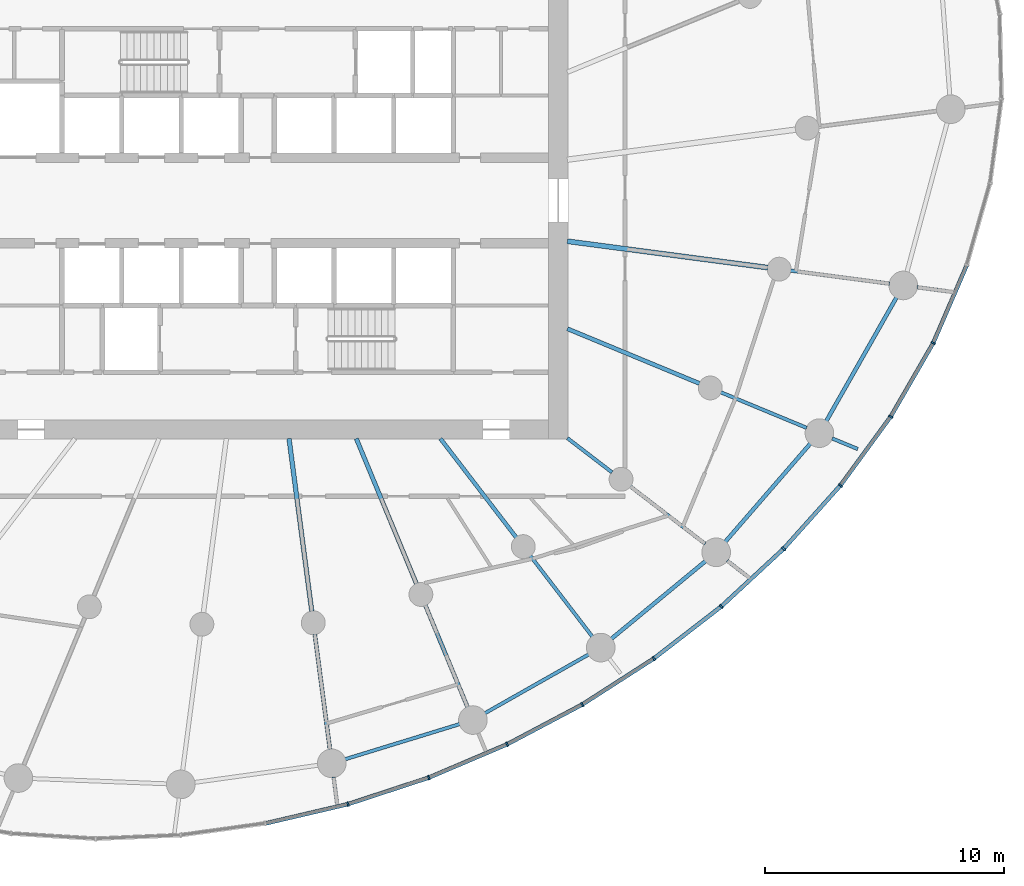
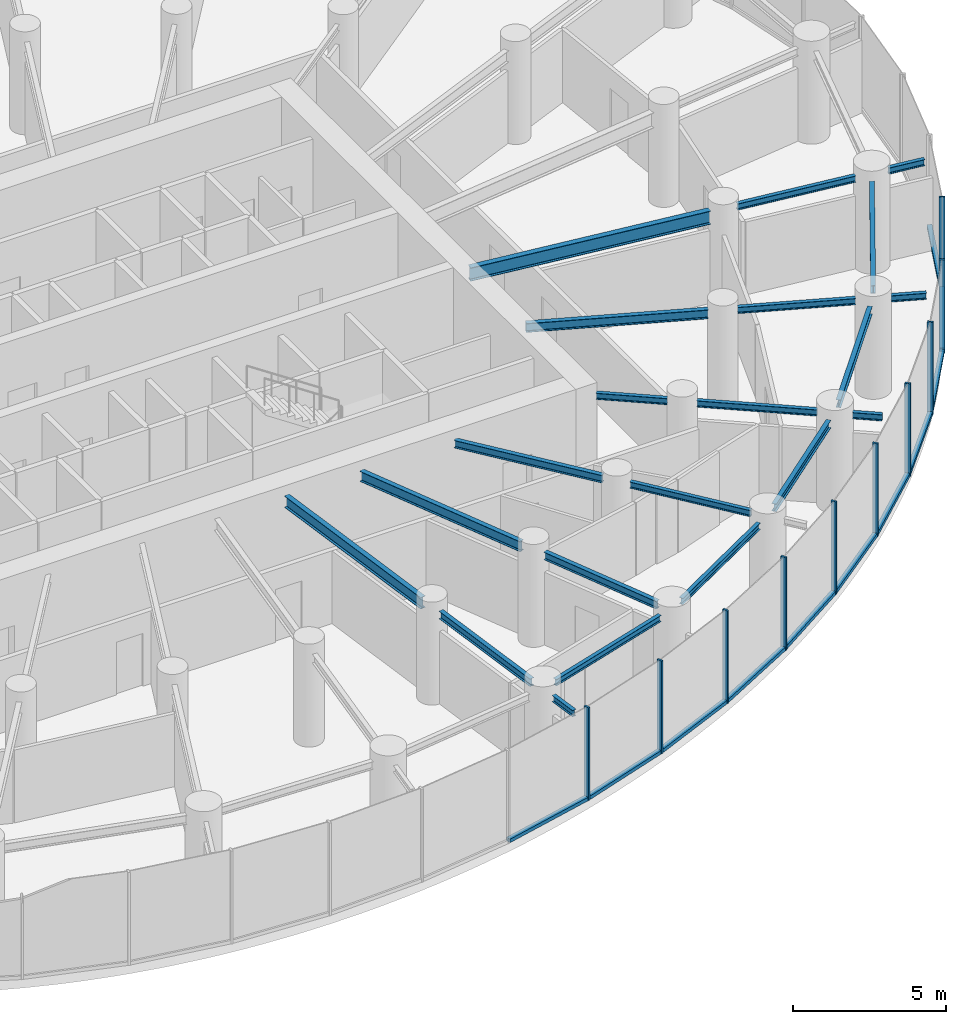
# One storey, part 4 of 17: 21 beams, 21 members, 3 elements without a shape of their own.
"""IFC4 building model written with IfcOpenShell, lengths in metres."""

from ifc_helpers import new_model, si_unit, direction, frame, origin, origin_2d, place, context, subcontext, project, spatial, rectangle, i_section, extrude, source, transform, mapped, material, layer, layer_set, material_profile, profile_set, type_object, element, aggregate, save


model = new_model("IFC4")

# Units and contexts
model_context = context("Model", 3, precision=1e-05, world=origin(), true_north=direction((0.0, 1.0)))
body_context = subcontext(model_context, "Body", "Model", "MODEL_VIEW")
ifc_project = project(units=[si_unit("LENGTHUNIT", "METRE"), si_unit("AREAUNIT", "SQUARE_METRE"), si_unit("VOLUMEUNIT", "CUBIC_METRE"), si_unit("PLANEANGLEUNIT", "RADIAN"), si_unit("MASSUNIT", "GRAM", prefix="KILO")], contexts=[model_context])

# Site, building, storey
site_placement = place(None, origin())
site = spatial("IfcSite", under=ifc_project, at=site_placement, CompositionType="ELEMENT")
building_placement = place(site_placement, origin())
building = spatial("IfcBuilding", under=site, at=building_placement, Name="Spindrift Exchange Tower", CompositionType="ELEMENT")
storey_placement = place(building_placement, frame((0.0, 0.0, 108.5)))
storey = spatial("IfcBuildingStorey", under=building, at=storey_placement, Name="L25", CompositionType="ELEMENT", Elevation=108.5)

# Beams
ifc_material_1 = material(Name="Steel Grade 300", Category="steel")
ifc_material_profile_1 = material_profile(ifc_material_1, i_section(OverallWidth=0.18994140625, OverallDepth=0.45703125, WebThickness=0.009033203125, FlangeThickness=0.014404296875, FilletRadius=0.013916015625, at=origin_2d()), Name="460UB74.6")
ifc_profile_set_1 = profile_set([ifc_material_profile_1], Name="Steel Grade 300")
beam_type_1 = type_object("IfcBeamType", Name="Floor Beam 460UB74.6 Steel Grade 300", PredefinedType="BEAM", material=ifc_profile_set_1)
shared_shape_1 = source(origin(), body_context, "Body", "SweptSolid", [
    extrude(i_section(OverallWidth=0.18994140625, OverallDepth=0.45703125, WebThickness=0.009033203125, FlangeThickness=0.014404296875, FilletRadius=0.013916015625, at=origin_2d()), origin(), (0.0, 0.0, 1.0), 7.3095703125),
])
beam_1_placement = place(storey_placement, frame((53.31396484375, 38.019775390625, 3.471435546875), z_axis=(0.130527087244, -0.991444743541, 0.0), x_axis=(0.991444743541, 0.130527087244, 0.0)))
element("IfcBeam", 1, at=beam_1_placement, inside=storey, type_object=beam_type_1, Name="L25 radial beam R19A", PredefinedType="BEAM", context=body_context, shape_type="MappedRepresentation", body=[
    mapped(shared_shape_1, transform((0.0, 0.0, 0.0), scale=1.0)),
])
ifc_material_profile_2 = material_profile(ifc_material_1, i_section(OverallWidth=0.177978515625, OverallDepth=0.406005859375, WebThickness=0.0078125, FlangeThickness=0.0126953125, FilletRadius=0.013916015625, at=origin_2d()), Name="410UB59.7")
ifc_profile_set_2 = profile_set([ifc_material_profile_2], Name="Steel Grade 300")
beam_type_2 = type_object("IfcBeamType", Name="Floor Beam 410UB59.7 Steel Grade 300", PredefinedType="BEAM", material=ifc_profile_set_2)
shared_shape_2 = source(origin(), body_context, "Body", "SweptSolid", [
    extrude(i_section(OverallWidth=0.177978515625, OverallDepth=0.406005859375, WebThickness=0.0078125, FlangeThickness=0.0126953125, FilletRadius=0.013916015625, at=origin_2d()), origin(), (0.0, 0.0, 1.0), 6.594482421875),
])
beam_2_placement = place(storey_placement, frame((56.134521484375, 38.0185546875, 3.4970703125), z_axis=(0.382692929746, -0.92387559851, 0.0), x_axis=(0.92387559851, 0.382692929746, 0.0)))
element("IfcBeam", 2, at=beam_2_placement, inside=storey, type_object=beam_type_2, Name="L25 radial beam R20A", PredefinedType="BEAM", context=body_context, shape_type="MappedRepresentation", body=[
    mapped(shared_shape_2, transform((0.0, 0.0, 0.0), scale=1.0)),
])
ifc_material_profile_3 = material_profile(ifc_material_1, i_section(OverallWidth=0.1650390625, OverallDepth=0.303955078125, WebThickness=0.006103515625, FlangeThickness=0.01025390625, FilletRadius=0.011474609375, at=origin_2d()), Name="310UB40.4")
ifc_profile_set_3 = profile_set([ifc_material_profile_3], Name="Steel Grade 300")
beam_type_3 = type_object("IfcBeamType", Name="Floor Beam 310UB40.4 Steel Grade 300", PredefinedType="BEAM", material=ifc_profile_set_3)
shared_shape_3 = source(origin(), body_context, "Body", "SweptSolid", [
    extrude(i_section(OverallWidth=0.1650390625, OverallDepth=0.303955078125, WebThickness=0.006103515625, FlangeThickness=0.01025390625, FilletRadius=0.011474609375, at=origin_2d()), origin(), (0.0, 0.0, 1.0), 5.224609375),
])
beam_3_placement = place(storey_placement, frame((59.6611328125, 38.015869140625, 3.548095703125), z_axis=(0.608741499316, -0.793368632485, 0.0), x_axis=(0.793368632485, 0.608741499316, 0.0)))
element("IfcBeam", 3, at=beam_3_placement, inside=storey, type_object=beam_type_3, Name="L25 radial beam R21A", PredefinedType="BEAM", context=body_context, shape_type="MappedRepresentation", body=[
    mapped(shared_shape_3, transform((0.0, 0.0, 0.0), scale=1.0)),
])
ifc_material_profile_4 = material_profile(ifc_material_1, i_section(OverallWidth=0.14599609375, OverallDepth=0.251953125, WebThickness=0.006103515625, FlangeThickness=0.008544921875, FilletRadius=0.011962890625, at=origin_2d()), Name="250UB31.4")
ifc_profile_set_4 = profile_set([ifc_material_profile_4], Name="Steel Grade 300")
beam_type_4 = type_object("IfcBeamType", Name="Floor Beam 250UB31.4 Steel Grade 300", PredefinedType="BEAM", material=ifc_profile_set_4)
shared_shape_4 = source(origin(), body_context, "Body", "SweptSolid", [
    extrude(i_section(OverallWidth=0.14599609375, OverallDepth=0.251953125, WebThickness=0.006103515625, FlangeThickness=0.008544921875, FilletRadius=0.011962890625, at=origin_2d()), origin(), (0.0, 0.0, 1.0), 2.353759765625),
])
beam_4_placement = place(storey_placement, frame((64.984130859375, 38.036865234375, 3.573974609375), z_axis=(0.793367573265, -0.608742879787, 0.0), x_axis=(0.608742879787, 0.793367573265, 0.0)))
element("IfcBeam", 4, at=beam_4_placement, inside=storey, type_object=beam_type_4, Name="L25 radial beam R22A", PredefinedType="BEAM", context=body_context, shape_type="MappedRepresentation", body=[
    mapped(shared_shape_4, transform((0.0, 0.0, 0.0), scale=1.0)),
])
ifc_material_profile_5 = material_profile(ifc_material_1, i_section(OverallWidth=0.172119140625, OverallDepth=0.35888671875, WebThickness=0.008056640625, FlangeThickness=0.012939453125, FilletRadius=0.013916015625, at=origin_2d()), Name="360UB56.7")
ifc_profile_set_5 = profile_set([ifc_material_profile_5], Name="Steel Grade 300")
beam_type_5 = type_object("IfcBeamType", Name="Floor Beam 360UB56.7 Steel Grade 300", PredefinedType="BEAM", material=ifc_profile_set_5)
shared_shape_5 = source(origin(), body_context, "Body", "SweptSolid", [
    extrude(i_section(OverallWidth=0.172119140625, OverallDepth=0.35888671875, WebThickness=0.008056640625, FlangeThickness=0.012939453125, FilletRadius=0.013916015625, at=origin_2d()), origin(), (0.0, 0.0, 1.0), 6.004638671875),
])
beam_5_placement = place(storey_placement, frame((64.9814453125, 42.622802734375, 3.5205078125), z_axis=(0.923882044911, -0.38267736684, 0.0), x_axis=(0.38267736684, 0.923882044911, 0.0)))
element("IfcBeam", 5, at=beam_5_placement, inside=storey, type_object=beam_type_5, Name="L25 radial beam R23A", PredefinedType="BEAM", context=body_context, shape_type="MappedRepresentation", body=[
    mapped(shared_shape_5, transform((0.0, 0.0, 0.0), scale=1.0)),
])
ifc_material_profile_6 = material_profile(ifc_material_1, i_section(OverallWidth=0.208984375, OverallDepth=0.532958984375, WebThickness=0.01025390625, FlangeThickness=0.015625, FilletRadius=0.013916015625, at=origin_2d()), Name="530UB92.4")
ifc_profile_set_6 = profile_set([ifc_material_profile_6], Name="Steel Grade 300")
beam_type_6 = type_object("IfcBeamType", Name="Floor Beam 530UB92.4 Steel Grade 300", PredefinedType="BEAM", material=ifc_profile_set_6)
shared_shape_6 = source(origin(), body_context, "Body", "SweptSolid", [
    extrude(i_section(OverallWidth=0.208984375, OverallDepth=0.532958984375, WebThickness=0.01025390625, FlangeThickness=0.015625, FilletRadius=0.013916015625, at=origin_2d()), origin(), (0.0, 0.0, 1.0), 8.4794921875),
])
beam_6_placement = place(storey_placement, frame((64.980224609375, 46.291015625, 3.43359375), z_axis=(0.991446551951, -0.13051335037, 0.0), x_axis=(0.13051335037, 0.991446551951, 0.0)))
element("IfcBeam", 6, at=beam_6_placement, inside=storey, type_object=beam_type_6, Name="L25 radial beam R24A", PredefinedType="BEAM", context=body_context, shape_type="MappedRepresentation", body=[
    mapped(shared_shape_6, transform((0.0, 0.0, 0.0), scale=1.0)),
])
shared_shape_7 = source(origin(), body_context, "Body", "SweptSolid", [
    extrude(i_section(OverallWidth=0.1650390625, OverallDepth=0.303955078125, WebThickness=0.006103515625, FlangeThickness=0.01025390625, FilletRadius=0.011474609375, at=origin_2d()), origin(), (0.0, 0.0, 1.0), 4.883056640625),
])
beam_7_placement = place(storey_placement, frame((54.393310546875, 29.82080078125, 3.548095703125), z_axis=(0.130542457964, -0.991442719812, 0.0), x_axis=(0.991442719812, 0.130542457964, 0.0)))
element("IfcBeam", 7, at=beam_7_placement, inside=storey, type_object=beam_type_3, Name="L25 radial beam R19B", PredefinedType="BEAM", context=body_context, shape_type="MappedRepresentation", body=[
    mapped(shared_shape_7, transform((0.0, 0.0, 0.0), scale=1.0)),
])
shared_shape_8 = source(origin(), body_context, "Body", "SweptSolid", [
    extrude(i_section(OverallWidth=0.1650390625, OverallDepth=0.303955078125, WebThickness=0.006103515625, FlangeThickness=0.01025390625, FilletRadius=0.011474609375, at=origin_2d()), origin(), (0.0, 0.0, 1.0), 4.63671875),
])
beam_8_placement = place(storey_placement, frame((59.025390625, 31.0390625, 3.548095703125), z_axis=(0.382692818086, -0.923875644763, 0.0), x_axis=(0.923875644763, 0.382692818086, 0.0)))
element("IfcBeam", 8, at=beam_8_placement, inside=storey, type_object=beam_type_3, Name="L25 radial beam R20B", PredefinedType="BEAM", context=body_context, shape_type="MappedRepresentation", body=[
    mapped(shared_shape_8, transform((0.0, 0.0, 0.0), scale=1.0)),
])
shared_shape_9 = source(origin(), body_context, "Body", "SweptSolid", [
    extrude(i_section(OverallWidth=0.14599609375, OverallDepth=0.251953125, WebThickness=0.006103515625, FlangeThickness=0.008544921875, FilletRadius=0.011962890625, at=origin_2d()), origin(), (0.0, 0.0, 1.0), 4.27587890625),
])
beam_9_placement = place(storey_placement, frame((63.426025390625, 33.109375, 3.573974609375), z_axis=(0.608725184746, -0.793381150177, 0.0), x_axis=(0.793381150177, 0.608725184746, 0.0)))
element("IfcBeam", 9, at=beam_9_placement, inside=storey, type_object=beam_type_4, Name="L25 radial beam R21B", PredefinedType="BEAM", context=body_context, shape_type="MappedRepresentation", body=[
    mapped(shared_shape_9, transform((0.0, 0.0, 0.0), scale=1.0)),
])
shared_shape_10 = source(origin(), body_context, "Body", "SweptSolid", [
    extrude(i_section(OverallWidth=0.14599609375, OverallDepth=0.251953125, WebThickness=0.006103515625, FlangeThickness=0.008544921875, FilletRadius=0.011962890625, at=origin_2d()), origin(), (0.0, 0.0, 1.0), 3.966064453125),
])
beam_10_placement = place(storey_placement, frame((67.61328125, 36.01953125, 3.573974609375), z_axis=(0.79336256318, -0.608749409318, 0.0), x_axis=(0.608749409318, 0.79336256318, 0.0)))
element("IfcBeam", 10, at=beam_10_placement, inside=storey, type_object=beam_type_4, Name="L25 radial beam R22B", PredefinedType="BEAM", context=body_context, shape_type="MappedRepresentation", body=[
    mapped(shared_shape_10, transform((0.0, 0.0, 0.0), scale=1.0)),
])
shared_shape_11 = source(origin(), body_context, "Body", "SweptSolid", [
    extrude(i_section(OverallWidth=0.14599609375, OverallDepth=0.251953125, WebThickness=0.006103515625, FlangeThickness=0.008544921875, FilletRadius=0.011962890625, at=origin_2d()), origin(), (0.0, 0.0, 1.0), 3.892333984375),
])
beam_11_placement = place(storey_placement, frame((71.416015625, 39.95751953125, 3.573974609375), z_axis=(0.923878458273, -0.382686025794, 0.0), x_axis=(0.382686025794, 0.923878458273, 0.0)))
element("IfcBeam", 11, at=beam_11_placement, inside=storey, type_object=beam_type_4, Name="L25 radial beam R23B", PredefinedType="BEAM", context=body_context, shape_type="MappedRepresentation", body=[
    mapped(shared_shape_11, transform((0.0, 0.0, 0.0), scale=1.0)),
])
shared_shape_12 = source(origin(), body_context, "Body", "SweptSolid", [
    extrude(i_section(OverallWidth=0.14599609375, OverallDepth=0.251953125, WebThickness=0.006103515625, FlangeThickness=0.008544921875, FilletRadius=0.011962890625, at=origin_2d()), origin(), (0.0, 0.0, 1.0), 4.186279296875),
])
beam_12_placement = place(storey_placement, frame((74.339111328125, 45.05908203125, 3.573974609375), z_axis=(0.991445559167, -0.130520891848, 0.0), x_axis=(0.130520891848, 0.991445559167, 0.0)))
element("IfcBeam", 12, at=beam_12_placement, inside=storey, type_object=beam_type_4, Name="L25 radial beam R24B", PredefinedType="BEAM", context=body_context, shape_type="MappedRepresentation", body=[
    mapped(shared_shape_12, transform((0.0, 0.0, 0.0), scale=1.0)),
])
ifc_material_profile_7 = material_profile(ifc_material_1, i_section(OverallWidth=0.14599609375, OverallDepth=0.251953125, WebThickness=0.006103515625, FlangeThickness=0.008544921875, FilletRadius=0.011962890625, at=origin_2d()), Name="250UB31.4")
ifc_profile_set_7 = profile_set([ifc_material_profile_7], Name="Steel Grade 300")
beam_type_7 = type_object("IfcBeamType", Name="Edge Beam 250UB31.4 Steel Grade 300", PredefinedType="SPANDREL", material=ifc_profile_set_7)
shared_shape_13 = source(origin(), body_context, "Body", "SweptSolid", [
    extrude(i_section(OverallWidth=0.14599609375, OverallDepth=0.251953125, WebThickness=0.006103515625, FlangeThickness=0.008544921875, FilletRadius=0.011962890625, at=origin_2d()), origin(), (0.0, 0.0, 1.0), 5.027587890625),
])
beam_13_placement = place(storey_placement, frame((55.660888671875, 24.57470703125, 3.573974609375), z_axis=(0.956018084082, 0.293307727325, 0.0), x_axis=(-0.293307727325, 0.956018084082, 0.0)))
element("IfcBeam", 13, at=beam_13_placement, inside=storey, type_object=beam_type_7, Name="L25 edge beam E19", PredefinedType="SPANDREL", context=body_context, shape_type="MappedRepresentation", body=[
    mapped(shared_shape_13, transform((0.0, 0.0, 0.0), scale=1.0)),
])
shared_shape_14 = source(origin(), body_context, "Body", "SweptSolid", [
    extrude(i_section(OverallWidth=0.14599609375, OverallDepth=0.251953125, WebThickness=0.006103515625, FlangeThickness=0.008544921875, FilletRadius=0.011962890625, at=origin_2d()), origin(), (0.0, 0.0, 1.0), 5.0009765625),
])
beam_14_placement = place(storey_placement, frame((61.5263671875, 26.505615234375, 3.573974609375), z_axis=(0.870045916697, 0.492970691663, 0.0), x_axis=(-0.492970691663, 0.870045916697, 0.0)))
element("IfcBeam", 14, at=beam_14_placement, inside=storey, type_object=beam_type_7, Name="L25 edge beam E20", PredefinedType="SPANDREL", context=body_context, shape_type="MappedRepresentation", body=[
    mapped(shared_shape_14, transform((0.0, 0.0, 0.0), scale=1.0)),
])
ifc_material_profile_8 = material_profile(ifc_material_1, i_section(OverallWidth=0.1650390625, OverallDepth=0.303955078125, WebThickness=0.006103515625, FlangeThickness=0.01025390625, FilletRadius=0.011474609375, at=origin_2d()), Name="310UB40.4")
ifc_profile_set_8 = profile_set([ifc_material_profile_8], Name="Steel Grade 300")
beam_type_8 = type_object("IfcBeamType", Name="Edge Beam 310UB40.4 Steel Grade 300", PredefinedType="SPANDREL", material=ifc_profile_set_8)
shared_shape_15 = source(origin(), body_context, "Body", "SweptSolid", [
    extrude(i_section(OverallWidth=0.1650390625, OverallDepth=0.303955078125, WebThickness=0.006103515625, FlangeThickness=0.01025390625, FilletRadius=0.011474609375, at=origin_2d()), origin(), (0.0, 0.0, 1.0), 5.114501953125),
])
beam_15_placement = place(storey_placement, frame((66.8291015625, 29.626220703125, 3.548095703125), z_axis=(0.771073837992, 0.63674573918, 0.0), x_axis=(-0.63674573918, 0.771073837992, 0.0)))
element("IfcBeam", 15, at=beam_15_placement, inside=storey, type_object=beam_type_8, Name="L25 edge beam E21", PredefinedType="SPANDREL", context=body_context, shape_type="MappedRepresentation", body=[
    mapped(shared_shape_15, transform((0.0, 0.0, 0.0), scale=1.0)),
])
shared_shape_16 = source(origin(), body_context, "Body", "SweptSolid", [
    extrude(i_section(OverallWidth=0.1650390625, OverallDepth=0.303955078125, WebThickness=0.006103515625, FlangeThickness=0.01025390625, FilletRadius=0.011474609375, at=origin_2d()), origin(), (0.0, 0.0, 1.0), 5.448486328125),
])
beam_16_placement = place(storey_placement, frame((71.599609375, 33.6904296875, 3.548095703125), z_axis=(0.654922008827, 0.755696475018, 0.0), x_axis=(-0.755696475018, 0.654922008827, 0.0)))
element("IfcBeam", 16, at=beam_16_placement, inside=storey, type_object=beam_type_8, Name="L25 edge beam E22", PredefinedType="SPANDREL", context=body_context, shape_type="MappedRepresentation", body=[
    mapped(shared_shape_16, transform((0.0, 0.0, 0.0), scale=1.0)),
])
shared_shape_17 = source(origin(), body_context, "Body", "SweptSolid", [
    extrude(i_section(OverallWidth=0.1650390625, OverallDepth=0.303955078125, WebThickness=0.006103515625, FlangeThickness=0.01025390625, FilletRadius=0.011474609375, at=origin_2d()), origin(), (0.0, 0.0, 1.0), 5.9599609375),
])
beam_17_placement = place(storey_placement, frame((75.834228515625, 38.75048828125, 3.548095703125), z_axis=(0.493940434745, 0.869495742901, 0.0), x_axis=(-0.869495742901, 0.493940434745, 0.0)))
element("IfcBeam", 17, at=beam_17_placement, inside=storey, type_object=beam_type_8, Name="L25 edge beam E23", PredefinedType="SPANDREL", context=body_context, shape_type="MappedRepresentation", body=[
    mapped(shared_shape_17, transform((0.0, 0.0, 0.0), scale=1.0)),
])
ifc_material_profile_9 = material_profile(ifc_material_1, i_section(OverallWidth=0.14599609375, OverallDepth=0.251953125, WebThickness=0.006103515625, FlangeThickness=0.008544921875, FilletRadius=0.011962890625, at=origin_2d()), Name="250UB31.4")
ifc_profile_set_9 = profile_set([ifc_material_profile_9], Name="Steel Grade 300")
beam_type_9 = type_object("IfcBeamType", Name="Cantilever Beam 250UB31.4 Steel Grade 300", PredefinedType="BEAM", material=ifc_profile_set_9)
shared_shape_18 = source(origin(), body_context, "Body", "SweptSolid", [
    extrude(i_section(OverallWidth=0.14599609375, OverallDepth=0.251953125, WebThickness=0.006103515625, FlangeThickness=0.008544921875, FilletRadius=0.011962890625, at=origin_2d()), origin(), (0.0, 0.0, 1.0), 1.109619140625),
])
beam_18_placement = place(storey_placement, frame((55.18212890625, 23.82958984375, 3.573974609375), z_axis=(0.130477279337, -0.99145129965, 0.0), x_axis=(0.99145129965, 0.130477279337, 0.0)))
element("IfcBeam", 18, at=beam_18_placement, inside=storey, type_object=beam_type_9, Name="L25 cantilever beam R19T", PredefinedType="BEAM", context=body_context, shape_type="MappedRepresentation", body=[
    mapped(shared_shape_18, transform((0.0, 0.0, 0.0), scale=1.0)),
])
shared_shape_19 = source(origin(), body_context, "Body", "SweptSolid", [
    extrude(i_section(OverallWidth=0.14599609375, OverallDepth=0.251953125, WebThickness=0.006103515625, FlangeThickness=0.008544921875, FilletRadius=0.011962890625, at=origin_2d()), origin(), (0.0, 0.0, 1.0), 0.978515625),
])
beam_19_placement = place(storey_placement, frame((71.679931640625, 32.89892578125, 3.573974609375), z_axis=(0.793485861855, -0.608588684611, 0.0), x_axis=(0.608588684611, 0.793485861855, 0.0)))
element("IfcBeam", 19, at=beam_19_placement, inside=storey, type_object=beam_type_9, Name="L25 cantilever beam R22T", PredefinedType="BEAM", context=body_context, shape_type="MappedRepresentation", body=[
    mapped(shared_shape_19, transform((0.0, 0.0, 0.0), scale=1.0)),
])
shared_shape_20 = source(origin(), body_context, "Body", "SweptSolid", [
    extrude(i_section(OverallWidth=0.14599609375, OverallDepth=0.251953125, WebThickness=0.006103515625, FlangeThickness=0.008544921875, FilletRadius=0.011962890625, at=origin_2d()), origin(), (0.0, 0.0, 1.0), 1.161865234375),
])
beam_20_placement = place(storey_placement, frame((76.08349609375, 38.024169921875, 3.573974609375), z_axis=(0.923901597303, -0.382630158901, 0.0), x_axis=(0.382630158901, 0.923901597303, 0.0)))
element("IfcBeam", 20, at=beam_20_placement, inside=storey, type_object=beam_type_9, Name="L25 cantilever beam R23T", PredefinedType="BEAM", context=body_context, shape_type="MappedRepresentation", body=[
    mapped(shared_shape_20, transform((0.0, 0.0, 0.0), scale=1.0)),
])
shared_shape_21 = source(origin(), body_context, "Body", "SweptSolid", [
    extrude(i_section(OverallWidth=0.14599609375, OverallDepth=0.251953125, WebThickness=0.006103515625, FlangeThickness=0.008544921875, FilletRadius=0.011962890625, at=origin_2d()), origin(), (0.0, 0.0, 1.0), 1.271240234375),
])
beam_21_placement = place(storey_placement, frame((79.639404296875, 44.361083984375, 3.573974609375), z_axis=(0.991462790444, -0.130389935059, 0.0), x_axis=(0.130389935059, 0.991462790444, 0.0)))
element("IfcBeam", 21, at=beam_21_placement, inside=storey, type_object=beam_type_9, Name="L25 cantilever beam R24T", PredefinedType="BEAM", context=body_context, shape_type="MappedRepresentation", body=[
    mapped(shared_shape_21, transform((0.0, 0.0, 0.0), scale=1.0)),
])

# Curtain wall, members
ifc_material_2 = material(Name="Fritted laminated glass with bronze frame", Category="glass")
ifc_layer = layer(ifc_material_2, 0.18994140625)
ifc_layer_set = layer_set([ifc_layer], Name="ZONE 2 BRONZE FRITTED WALL")
curtain_wall_type = type_object("IfcCurtainWallType", Name="ZONE 2 BRONZE FRITTED WALL", PredefinedType="NOTDEFINED", material=ifc_layer_set)
curtain_wall_1_placement = place(storey_placement, origin())
curtain_wall_1 = element("IfcCurtainWall", 22, at=curtain_wall_1_placement, inside=storey, type_object=curtain_wall_type, Name="L25 Zone 2 Bronze Fritted Wall run 7", PredefinedType="NOTDEFINED")
ifc_material_3 = material(Name="Bronze anodised aluminium", Category="aluminium")
ifc_material_profile_10 = material_profile(ifc_material_3, rectangle(XDim=0.074951171875, YDim=0.18994140625, at=origin_2d()), Name="ZONE 2 BRONZE FRITTED WALL MULLION 75X190")
ifc_profile_set_10 = profile_set([ifc_material_profile_10], Name="Bronze anodised aluminium")
member_type_1 = type_object("IfcMemberType", Name="ZONE 2 BRONZE FRITTED WALL MULLION 75X190", PredefinedType="MULLION", material=ifc_profile_set_10)
shared_shape_22 = source(origin(), body_context, "Body", "SweptSolid", [
    extrude(rectangle(XDim=0.074951171875, YDim=0.18994140625, at=origin_2d()), origin(), (0.0, 0.0, 1.0), 3.699951171875),
])
member_1_placement = place(storey_placement, frame((55.78515625, 22.693603515625, 0.0), z_axis=(0.0, 0.0, 1.0), x_axis=(0.962888799454, 0.269898425126, 0.0)))
member_1 = element("IfcMember", 23, at=member_1_placement, type_object=member_type_1, Name="L25 mullion CW-2.37", PredefinedType="MULLION", context=body_context, shape_type="MappedRepresentation", body=[
    mapped(shared_shape_22, transform((0.0, 0.0, 0.0), scale=1.0)),
])
member_2_placement = place(storey_placement, frame((59.174072265625, 23.805419921875, 0.0), z_axis=(0.0, 0.0, 1.0), x_axis=(0.936012835438, 0.351965867514, 0.0)))
member_2 = element("IfcMember", 24, at=member_2_placement, type_object=member_type_1, Name="L25 mullion CW-2.38", PredefinedType="MULLION", context=body_context, shape_type="MappedRepresentation", body=[
    mapped(shared_shape_22, transform((0.0, 0.0, 0.0), scale=1.0)),
])
member_3_placement = place(storey_placement, frame((62.4560546875, 25.201904296875, 0.0), z_axis=(0.0, 0.0, 1.0), x_axis=(0.902835889517, 0.42998529812, 0.0)))
member_3 = element("IfcMember", 25, at=member_3_placement, type_object=member_type_1, Name="L25 mullion CW-2.39", PredefinedType="MULLION", context=body_context, shape_type="MappedRepresentation", body=[
    mapped(shared_shape_22, transform((0.0, 0.0, 0.0), scale=1.0)),
])
member_4_placement = place(storey_placement, frame((65.608642578125, 26.869873046875, 0.0), z_axis=(0.0, 0.0, 1.0), x_axis=(0.863326215826, 0.504646257359, 0.0)))
member_4 = element("IfcMember", 26, at=member_4_placement, type_object=member_type_1, Name="L25 mullion CW-2.40", PredefinedType="MULLION", context=body_context, shape_type="MappedRepresentation", body=[
    mapped(shared_shape_22, transform((0.0, 0.0, 0.0), scale=1.0)),
])
member_5_placement = place(storey_placement, frame((68.60888671875, 28.798583984375, 0.0), z_axis=(0.0, 0.0, 1.0), x_axis=(0.817122062542, 0.576464686609, 0.0)))
member_5 = element("IfcMember", 27, at=member_5_placement, type_object=member_type_1, Name="L25 mullion CW-2.41", PredefinedType="MULLION", context=body_context, shape_type="MappedRepresentation", body=[
    mapped(shared_shape_22, transform((0.0, 0.0, 0.0), scale=1.0)),
])
member_6_placement = place(storey_placement, frame((71.431884765625, 30.978271484375, 0.0), z_axis=(0.0, 0.0, 1.0), x_axis=(0.76351980724, 0.645784409809, 0.0)))
member_6 = element("IfcMember", 28, at=member_6_placement, type_object=member_type_1, Name="L25 mullion CW-2.42", PredefinedType="MULLION", context=body_context, shape_type="MappedRepresentation", body=[
    mapped(shared_shape_22, transform((0.0, 0.0, 0.0), scale=1.0)),
])

curtain_wall_2_placement = place(storey_placement, origin())
curtain_wall_2 = element("IfcCurtainWall", 29, at=curtain_wall_2_placement, inside=storey, type_object=curtain_wall_type, Name="L25 Zone 2 Bronze Fritted Wall run 8", PredefinedType="NOTDEFINED")
member_7_placement = place(storey_placement, frame((74.0498046875, 33.400390625, 0.0), z_axis=(0.0, 0.0, 1.0), x_axis=(0.70146296243, 0.71270590873, 0.0)))
member_7 = element("IfcMember", 30, at=member_7_placement, type_object=member_type_1, Name="L25 mullion CW-2.43", PredefinedType="MULLION", context=body_context, shape_type="MappedRepresentation", body=[
    mapped(shared_shape_22, transform((0.0, 0.0, 0.0), scale=1.0)),
])
member_8_placement = place(storey_placement, frame((76.429931640625, 36.056396484375, 0.0), z_axis=(0.0, 0.0, 1.0), x_axis=(0.629557039363, 0.776954267759, 0.0)))
member_8 = element("IfcMember", 31, at=member_8_placement, type_object=member_type_1, Name="L25 mullion CW-2.44", PredefinedType="MULLION", context=body_context, shape_type="MappedRepresentation", body=[
    mapped(shared_shape_22, transform((0.0, 0.0, 0.0), scale=1.0)),
])
member_9_placement = place(storey_placement, frame((78.53466796875, 38.935302734375, 0.0), z_axis=(0.0, 0.0, 1.0), x_axis=(0.54603266893, 0.837763883479, 0.0)))
member_9 = element("IfcMember", 32, at=member_9_placement, type_object=member_type_1, Name="L25 mullion CW-2.45", PredefinedType="MULLION", context=body_context, shape_type="MappedRepresentation", body=[
    mapped(shared_shape_22, transform((0.0, 0.0, 0.0), scale=1.0)),
])
member_10_placement = place(storey_placement, frame((80.318603515625, 42.022705078125, 0.0), z_axis=(0.0, 0.0, 1.0), x_axis=(0.448817597676, 0.893623390482, 0.0)))
member_10 = element("IfcMember", 33, at=member_10_placement, type_object=member_type_1, Name="L25 mullion CW-2.46", PredefinedType="MULLION", context=body_context, shape_type="MappedRepresentation", body=[
    mapped(shared_shape_22, transform((0.0, 0.0, 0.0), scale=1.0)),
])
ifc_material_profile_11 = material_profile(ifc_material_3, rectangle(XDim=0.169921875, YDim=0.139892578125, at=origin_2d()), Name="ZONE 2 BRONZE FRITTED WALL TRANSOM 170X140")
ifc_profile_set_11 = profile_set([ifc_material_profile_11], Name="Bronze anodised aluminium")
member_type_2 = type_object("IfcMemberType", Name="ZONE 2 BRONZE FRITTED WALL TRANSOM 170X140", PredefinedType="USERDEFINED", material=ifc_profile_set_11)
shared_shape_23 = source(origin(), body_context, "Body", "SweptSolid", [
    extrude(rectangle(XDim=0.169921875, YDim=0.139892578125, at=origin_2d()), origin(), (0.0, 0.0, 1.0), 3.4912109375),
])
member_11_placement = place(storey_placement, frame((76.4521484375, 36.086669921875, 0.070068359375), z_axis=(0.590153342133, 0.807291169758, 0.0), x_axis=(-0.807291169758, 0.590153342133, 0.0)))
member_11 = element("IfcMember", 34, at=member_11_placement, type_object=member_type_2, Name="L25 transom CW-2.44", ObjectType="TRANSOM", PredefinedType="USERDEFINED", context=body_context, shape_type="MappedRepresentation", body=[
    mapped(shared_shape_23, transform((0.0, 0.0, 0.0), scale=1.0)),
])

# Curtain wall, member
curtain_wall_3_placement = place(storey_placement, origin())
curtain_wall_3 = element("IfcCurtainWall", 35, at=curtain_wall_3_placement, inside=storey, type_object=curtain_wall_type, Name="L25 Zone 2 Bronze Fritted Wall run 6", PredefinedType="NOTDEFINED")
shared_shape_24 = source(origin(), body_context, "Body", "SweptSolid", [
    extrude(rectangle(XDim=0.169921875, YDim=0.139892578125, at=origin_2d()), origin(), (0.0, 0.0, 1.0), 3.49169921875),
])
member_12_placement = place(storey_placement, frame((52.3486328125, 21.890625, 0.070068359375), z_axis=(0.973773604532, 0.22751915769, 0.0), x_axis=(-0.22751915769, 0.973773604532, 0.0)))
member_12 = element("IfcMember", 36, at=member_12_placement, type_object=member_type_2, Name="L25 transom CW-2.36", ObjectType="TRANSOM", PredefinedType="USERDEFINED", context=body_context, shape_type="MappedRepresentation", body=[
    mapped(shared_shape_24, transform((0.0, 0.0, 0.0), scale=1.0)),
])
aggregate(curtain_wall_3, [member_12])

# Member
member_13_placement = place(storey_placement, frame((55.82080078125, 22.705078125, 0.070068359375), z_axis=(0.950155198587, 0.311777322136, 0.0), x_axis=(-0.311777322136, 0.950155198587, 0.0)))
member_13 = element("IfcMember", 37, at=member_13_placement, type_object=member_type_2, Name="L25 transom CW-2.37", ObjectType="TRANSOM", PredefinedType="USERDEFINED", context=body_context, shape_type="MappedRepresentation", body=[
    mapped(shared_shape_24, transform((0.0, 0.0, 0.0), scale=1.0)),
])

member_14_placement = place(storey_placement, frame((59.20849609375, 23.820068359375, 0.070068359375), z_axis=(0.920154635629, 0.391555164097, 0.0), x_axis=(-0.391555164097, 0.920154635629, 0.0)))
member_14 = element("IfcMember", 38, at=member_14_placement, type_object=member_type_2, Name="L25 transom CW-2.38", ObjectType="TRANSOM", PredefinedType="USERDEFINED", context=body_context, shape_type="MappedRepresentation", body=[
    mapped(shared_shape_24, transform((0.0, 0.0, 0.0), scale=1.0)),
])

member_15_placement = place(storey_placement, frame((65.64013671875, 26.89013671875, 0.070068359375), z_axis=(0.841185290437, 0.540746989962, 0.0), x_axis=(-0.540746989962, 0.841185290437, 0.0)))
member_15 = element("IfcMember", 39, at=member_15_placement, type_object=member_type_2, Name="L25 transom CW-2.40", ObjectType="TRANSOM", PredefinedType="USERDEFINED", context=body_context, shape_type="MappedRepresentation", body=[
    mapped(shared_shape_24, transform((0.0, 0.0, 0.0), scale=1.0)),
])

shared_shape_25 = source(origin(), body_context, "Body", "SweptSolid", [
    extrude(rectangle(XDim=0.169921875, YDim=0.139892578125, at=origin_2d()), origin(), (0.0, 0.0, 1.0), 3.49072265625),
])
member_16_placement = place(storey_placement, frame((78.553466796875, 38.9677734375, 0.070068359375), z_axis=(0.500335856762, 0.86583140994, 0.0), x_axis=(-0.86583140994, 0.500335856762, 0.0)))
member_16 = element("IfcMember", 40, at=member_16_placement, type_object=member_type_2, Name="L25 transom CW-2.45", ObjectType="TRANSOM", PredefinedType="USERDEFINED", context=body_context, shape_type="MappedRepresentation", body=[
    mapped(shared_shape_25, transform((0.0, 0.0, 0.0), scale=1.0)),
])

shared_shape_26 = source(origin(), body_context, "Body", "SweptSolid", [
    extrude(rectangle(XDim=0.169921875, YDim=0.139892578125, at=origin_2d()), origin(), (0.0, 0.0, 1.0), 3.491455078125),
])
member_17_placement = place(storey_placement, frame((62.4892578125, 25.219482421875, 0.070068359375), z_axis=(0.883912047963, 0.467653174336, 0.0), x_axis=(-0.467653174336, 0.883912047963, 0.0)))
member_17 = element("IfcMember", 41, at=member_17_placement, type_object=member_type_2, Name="L25 transom CW-2.39", ObjectType="TRANSOM", PredefinedType="USERDEFINED", context=body_context, shape_type="MappedRepresentation", body=[
    mapped(shared_shape_26, transform((0.0, 0.0, 0.0), scale=1.0)),
])

member_18_placement = place(storey_placement, frame((68.638671875, 28.821533203125, 0.070068359375), z_axis=(0.791530980265, 0.611129043067, 0.0), x_axis=(-0.611129043067, 0.791530980265, 0.0)))
member_18 = element("IfcMember", 42, at=member_18_placement, type_object=member_type_2, Name="L25 transom CW-2.41", ObjectType="TRANSOM", PredefinedType="USERDEFINED", context=body_context, shape_type="MappedRepresentation", body=[
    mapped(shared_shape_26, transform((0.0, 0.0, 0.0), scale=1.0)),
])

member_19_placement = place(storey_placement, frame((71.45947265625, 31.003662109375, 0.070068359375), z_axis=(0.733985276833, 0.679165380002, 0.0), x_axis=(-0.679165380002, 0.733985276833, 0.0)))
member_19 = element("IfcMember", 43, at=member_19_placement, type_object=member_type_2, Name="L25 transom CW-2.42", ObjectType="TRANSOM", PredefinedType="USERDEFINED", context=body_context, shape_type="MappedRepresentation", body=[
    mapped(shared_shape_26, transform((0.0, 0.0, 0.0), scale=1.0)),
])

aggregate(curtain_wall_1, [member_1, member_13, member_2, member_14, member_3, member_17, member_4, member_15, member_5, member_18, member_6, member_19])

member_20_placement = place(storey_placement, frame((74.07470703125, 33.42822265625, 0.070068359375), z_axis=(0.667418019408, 0.744683279905, 0.0), x_axis=(-0.744683279905, 0.667418019408, 0.0)))
member_20 = element("IfcMember", 44, at=member_20_placement, type_object=member_type_2, Name="L25 transom CW-2.43", ObjectType="TRANSOM", PredefinedType="USERDEFINED", context=body_context, shape_type="MappedRepresentation", body=[
    mapped(shared_shape_26, transform((0.0, 0.0, 0.0), scale=1.0)),
])

shared_shape_27 = source(origin(), body_context, "Body", "SweptSolid", [
    extrude(rectangle(XDim=0.169921875, YDim=0.139892578125, at=origin_2d()), origin(), (0.0, 0.0, 1.0), 3.490234375),
])
member_21_placement = place(storey_placement, frame((80.33349609375, 42.05712890625, 0.070068359375), z_axis=(0.395767306815, 0.918350825587, 0.0), x_axis=(-0.918350825587, 0.395767306815, 0.0)))
member_21 = element("IfcMember", 45, at=member_21_placement, type_object=member_type_2, Name="L25 transom CW-2.46", ObjectType="TRANSOM", PredefinedType="USERDEFINED", context=body_context, shape_type="MappedRepresentation", body=[
    mapped(shared_shape_27, transform((0.0, 0.0, 0.0), scale=1.0)),
])

aggregate(curtain_wall_2, [member_7, member_20, member_8, member_11, member_9, member_16, member_10, member_21])

save(model, "model.ifc")
